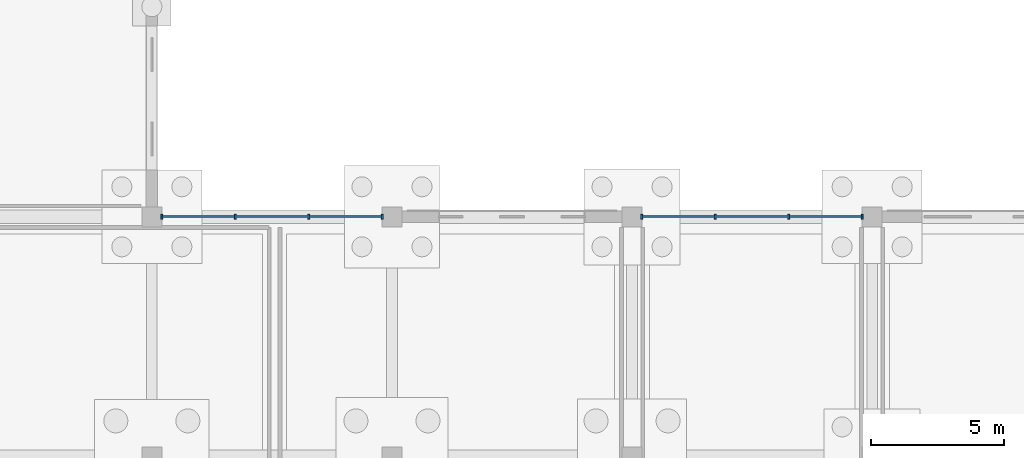
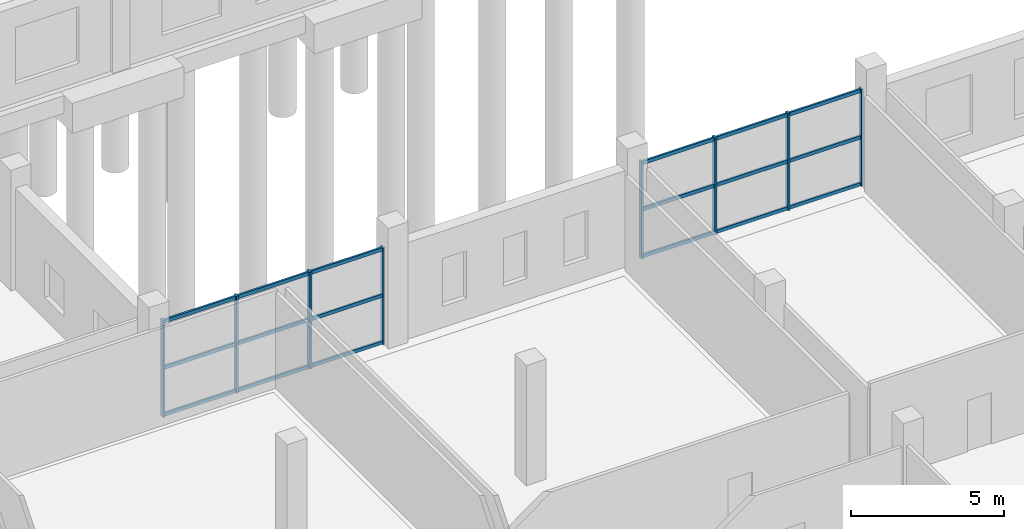
# One storey, part 53 of 112: 26 members, 2 elements without a shape of their own.
"""IFC4 building model written with IfcOpenShell, lengths in metres."""

from ifc_helpers import new_model, si_unit, direction, frame, origin, origin_2d, place, context, subcontext, project, spatial, rectangle, extrude, material, material_profile, profile_set, type_object, element, aggregate, save


model = new_model("IFC4")

# Units and contexts
model_context = context("Model", 3, precision=1e-05, world=origin(), true_north=direction((0.0, 1.0)))
body_context = subcontext(model_context, "Body", "Model", "MODEL_VIEW")
ifc_project = project(units=[si_unit("LENGTHUNIT", "METRE"), si_unit("AREAUNIT", "SQUARE_METRE"), si_unit("VOLUMEUNIT", "CUBIC_METRE"), si_unit("PLANEANGLEUNIT", "RADIAN"), si_unit("MASSUNIT", "GRAM", prefix="KILO")], contexts=[model_context])

# Site, building, storey
site_placement = place(None, origin())
site = spatial("IfcSite", under=ifc_project, at=site_placement, CompositionType="ELEMENT")
building_placement = place(site_placement, origin())
building = spatial("IfcBuilding", under=site, at=building_placement, Name="Tharagai Park Tramway Depot", CompositionType="ELEMENT")
storey_placement = place(building_placement, origin())
storey = spatial("IfcBuildingStorey", under=building, at=storey_placement, Name="L00", CompositionType="ELEMENT", Elevation=0.0)

# Curtain wall, members
ifc_material = material(Name="Anodised aluminium", Category="aluminium")
curtain_wall_type = type_object("IfcCurtainWallType", Name="CW-05", PredefinedType="NOTDEFINED", material=ifc_material)
curtain_wall_1_placement = place(storey_placement, origin())
curtain_wall_1 = element("IfcCurtainWall", 1, at=curtain_wall_1_placement, inside=storey, type_object=curtain_wall_type, Name="L00 V4 Gothic Mullioned Curtain Wall CW-05", PredefinedType="NOTDEFINED")
ifc_material_profile_1 = material_profile(ifc_material, rectangle(XDim=0.074951171875, YDim=0.175048828125, at=origin_2d()), Name="ALU 75x175")
ifc_profile_set_1 = profile_set([ifc_material_profile_1], Name="Anodised aluminium")
member_type_1 = type_object("IfcMemberType", Name="CM-02", PredefinedType="MULLION", material=ifc_profile_set_1)
member_1_placement = place(storey_placement, frame((63.364990234375, 27.0, -0.0048828125), z_axis=(0.0, 0.0, 1.0), x_axis=(1.0, 0.0, 0.0)))
member_1 = element("IfcMember", 2, at=member_1_placement, type_object=member_type_1, Name="L00 V4 Gothic Mullioned Curtain Wall Mullion 1", PredefinedType="MULLION", context=body_context, shape_type="SweptSolid", body=[
    extrude(rectangle(XDim=0.074951171875, YDim=0.175048828125, at=origin_2d()), origin(), (0.0, 0.0, 1.0), 3.85986328125),
])
member_2_placement = place(storey_placement, frame((66.12158203125, 27.0, -0.0048828125), z_axis=(0.0, 0.0, 1.0), x_axis=(1.0, 0.0, 0.0)))
member_2 = element("IfcMember", 3, at=member_2_placement, type_object=member_type_1, Name="L00 V4 Gothic Mullioned Curtain Wall Mullion 2", PredefinedType="MULLION", context=body_context, shape_type="SweptSolid", body=[
    extrude(rectangle(XDim=0.074951171875, YDim=0.175048828125, at=origin_2d()), origin(), (0.0, 0.0, 1.0), 3.85986328125),
])
member_3_placement = place(storey_placement, frame((68.87841796875, 27.0, -0.0048828125), z_axis=(0.0, 0.0, 1.0), x_axis=(1.0, 0.0, 0.0)))
member_3 = element("IfcMember", 4, at=member_3_placement, type_object=member_type_1, Name="L00 V4 Gothic Mullioned Curtain Wall Mullion 3", PredefinedType="MULLION", context=body_context, shape_type="SweptSolid", body=[
    extrude(rectangle(XDim=0.074951171875, YDim=0.175048828125, at=origin_2d()), origin(), (0.0, 0.0, 1.0), 3.85986328125),
])
member_4_placement = place(storey_placement, frame((71.635009765625, 27.0, -0.0048828125), z_axis=(0.0, 0.0, 1.0), x_axis=(1.0, 0.0, 0.0)))
member_4 = element("IfcMember", 5, at=member_4_placement, type_object=member_type_1, Name="L00 V4 Gothic Mullioned Curtain Wall Mullion 4", PredefinedType="MULLION", context=body_context, shape_type="SweptSolid", body=[
    extrude(rectangle(XDim=0.074951171875, YDim=0.175048828125, at=origin_2d()), origin(), (0.0, 0.0, 1.0), 3.85986328125),
])

curtain_wall_2_placement = place(storey_placement, origin())
curtain_wall_2 = element("IfcCurtainWall", 6, at=curtain_wall_2_placement, inside=storey, type_object=curtain_wall_type, Name="L00 V4 Gothic Mullioned Curtain Wall CW-05", PredefinedType="NOTDEFINED")
member_5_placement = place(storey_placement, frame((81.364990234375, 27.0, -0.0048828125), z_axis=(0.0, 0.0, 1.0), x_axis=(1.0, 0.0, 0.0)))
member_5 = element("IfcMember", 7, at=member_5_placement, type_object=member_type_1, Name="L00 V4 Gothic Mullioned Curtain Wall Mullion 1", PredefinedType="MULLION", context=body_context, shape_type="SweptSolid", body=[
    extrude(rectangle(XDim=0.074951171875, YDim=0.175048828125, at=origin_2d()), origin(), (0.0, 0.0, 1.0), 3.85986328125),
])
member_6_placement = place(storey_placement, frame((84.12158203125, 27.0, -0.0048828125), z_axis=(0.0, 0.0, 1.0), x_axis=(1.0, 0.0, 0.0)))
member_6 = element("IfcMember", 8, at=member_6_placement, type_object=member_type_1, Name="L00 V4 Gothic Mullioned Curtain Wall Mullion 2", PredefinedType="MULLION", context=body_context, shape_type="SweptSolid", body=[
    extrude(rectangle(XDim=0.074951171875, YDim=0.175048828125, at=origin_2d()), origin(), (0.0, 0.0, 1.0), 3.85986328125),
])
member_7_placement = place(storey_placement, frame((86.87841796875, 27.0, -0.0048828125), z_axis=(0.0, 0.0, 1.0), x_axis=(1.0, 0.0, 0.0)))
member_7 = element("IfcMember", 9, at=member_7_placement, type_object=member_type_1, Name="L00 V4 Gothic Mullioned Curtain Wall Mullion 3", PredefinedType="MULLION", context=body_context, shape_type="SweptSolid", body=[
    extrude(rectangle(XDim=0.074951171875, YDim=0.175048828125, at=origin_2d()), origin(), (0.0, 0.0, 1.0), 3.85986328125),
])
member_8_placement = place(storey_placement, frame((89.635009765625, 27.0, -0.0048828125), z_axis=(0.0, 0.0, 1.0), x_axis=(1.0, 0.0, 0.0)))
member_8 = element("IfcMember", 10, at=member_8_placement, type_object=member_type_1, Name="L00 V4 Gothic Mullioned Curtain Wall Mullion 4", PredefinedType="MULLION", context=body_context, shape_type="SweptSolid", body=[
    extrude(rectangle(XDim=0.074951171875, YDim=0.175048828125, at=origin_2d()), origin(), (0.0, 0.0, 1.0), 3.85986328125),
])

# Member
ifc_material_profile_2 = material_profile(ifc_material, rectangle(XDim=0.074951171875, YDim=0.139892578125, at=origin_2d()), Name="ALU 75x140")
ifc_profile_set_2 = profile_set([ifc_material_profile_2], Name="Anodised aluminium")
member_type_2 = type_object("IfcMemberType", Name="CM-04", PredefinedType="USERDEFINED", material=ifc_profile_set_2)
member_9_placement = place(storey_placement, frame((63.3798828125, 27.0, 0.06005859375), z_axis=(1.0, 0.0, 0.0), x_axis=(0.0, 1.0, 0.0)))
member_9 = element("IfcMember", 11, at=member_9_placement, type_object=member_type_2, Name="L00 V4 Gothic Mullioned Curtain Wall Transom 1.1", ObjectType="TRANSOM", PredefinedType="USERDEFINED", context=body_context, shape_type="SweptSolid", body=[
    extrude(rectangle(XDim=0.074951171875, YDim=0.139892578125, at=origin_2d()), origin(), (0.0, 0.0, 1.0), 2.726806640625),
])

member_10_placement = place(storey_placement, frame((63.3798828125, 27.0, 1.925048828125), z_axis=(1.0, 0.0, 0.0), x_axis=(0.0, 1.0, 0.0)))
member_10 = element("IfcMember", 12, at=member_10_placement, type_object=member_type_2, Name="L00 V4 Gothic Mullioned Curtain Wall Transom 1.2", ObjectType="TRANSOM", PredefinedType="USERDEFINED", context=body_context, shape_type="SweptSolid", body=[
    extrude(rectangle(XDim=0.074951171875, YDim=0.139892578125, at=origin_2d()), origin(), (0.0, 0.0, 1.0), 2.726806640625),
])

member_11_placement = place(storey_placement, frame((63.3798828125, 27.0, 3.77001953125), z_axis=(1.0, 0.0, 0.0), x_axis=(0.0, 1.0, 0.0)))
member_11 = element("IfcMember", 13, at=member_11_placement, type_object=member_type_2, Name="L00 V4 Gothic Mullioned Curtain Wall Transom 1.3", ObjectType="TRANSOM", PredefinedType="USERDEFINED", context=body_context, shape_type="SweptSolid", body=[
    extrude(rectangle(XDim=0.074951171875, YDim=0.139892578125, at=origin_2d()), origin(), (0.0, 0.0, 1.0), 2.726806640625),
])

member_12_placement = place(storey_placement, frame((66.13671875, 27.0, 0.06005859375), z_axis=(1.0, 0.0, 0.0), x_axis=(0.0, 1.0, 0.0)))
member_12 = element("IfcMember", 14, at=member_12_placement, type_object=member_type_2, Name="L00 V4 Gothic Mullioned Curtain Wall Transom 2.1", ObjectType="TRANSOM", PredefinedType="USERDEFINED", context=body_context, shape_type="SweptSolid", body=[
    extrude(rectangle(XDim=0.074951171875, YDim=0.139892578125, at=origin_2d()), origin(), (0.0, 0.0, 1.0), 2.7265625),
])

member_13_placement = place(storey_placement, frame((66.13671875, 27.0, 1.925048828125), z_axis=(1.0, 0.0, 0.0), x_axis=(0.0, 1.0, 0.0)))
member_13 = element("IfcMember", 15, at=member_13_placement, type_object=member_type_2, Name="L00 V4 Gothic Mullioned Curtain Wall Transom 2.2", ObjectType="TRANSOM", PredefinedType="USERDEFINED", context=body_context, shape_type="SweptSolid", body=[
    extrude(rectangle(XDim=0.074951171875, YDim=0.139892578125, at=origin_2d()), origin(), (0.0, 0.0, 1.0), 2.7265625),
])

member_14_placement = place(storey_placement, frame((66.13671875, 27.0, 3.77001953125), z_axis=(1.0, 0.0, 0.0), x_axis=(0.0, 1.0, 0.0)))
member_14 = element("IfcMember", 16, at=member_14_placement, type_object=member_type_2, Name="L00 V4 Gothic Mullioned Curtain Wall Transom 2.3", ObjectType="TRANSOM", PredefinedType="USERDEFINED", context=body_context, shape_type="SweptSolid", body=[
    extrude(rectangle(XDim=0.074951171875, YDim=0.139892578125, at=origin_2d()), origin(), (0.0, 0.0, 1.0), 2.7265625),
])

member_15_placement = place(storey_placement, frame((68.893310546875, 27.0, 0.06005859375), z_axis=(1.0, 0.0, 0.0), x_axis=(0.0, 1.0, 0.0)))
member_15 = element("IfcMember", 17, at=member_15_placement, type_object=member_type_2, Name="L00 V4 Gothic Mullioned Curtain Wall Transom 3.1", ObjectType="TRANSOM", PredefinedType="USERDEFINED", context=body_context, shape_type="SweptSolid", body=[
    extrude(rectangle(XDim=0.074951171875, YDim=0.139892578125, at=origin_2d()), origin(), (0.0, 0.0, 1.0), 2.726806640625),
])

member_16_placement = place(storey_placement, frame((68.893310546875, 27.0, 1.925048828125), z_axis=(1.0, 0.0, 0.0), x_axis=(0.0, 1.0, 0.0)))
member_16 = element("IfcMember", 18, at=member_16_placement, type_object=member_type_2, Name="L00 V4 Gothic Mullioned Curtain Wall Transom 3.2", ObjectType="TRANSOM", PredefinedType="USERDEFINED", context=body_context, shape_type="SweptSolid", body=[
    extrude(rectangle(XDim=0.074951171875, YDim=0.139892578125, at=origin_2d()), origin(), (0.0, 0.0, 1.0), 2.726806640625),
])

member_17_placement = place(storey_placement, frame((68.893310546875, 27.0, 3.77001953125), z_axis=(1.0, 0.0, 0.0), x_axis=(0.0, 1.0, 0.0)))
member_17 = element("IfcMember", 19, at=member_17_placement, type_object=member_type_2, Name="L00 V4 Gothic Mullioned Curtain Wall Transom 3.3", ObjectType="TRANSOM", PredefinedType="USERDEFINED", context=body_context, shape_type="SweptSolid", body=[
    extrude(rectangle(XDim=0.074951171875, YDim=0.139892578125, at=origin_2d()), origin(), (0.0, 0.0, 1.0), 2.726806640625),
])

aggregate(curtain_wall_1, [member_1, member_2, member_3, member_4, member_9, member_10, member_11, member_12, member_13, member_14, member_15, member_16, member_17])

member_18_placement = place(storey_placement, frame((81.3798828125, 27.0, 0.06005859375), z_axis=(1.0, 0.0, 0.0), x_axis=(0.0, 1.0, 0.0)))
member_18 = element("IfcMember", 20, at=member_18_placement, type_object=member_type_2, Name="L00 V4 Gothic Mullioned Curtain Wall Transom 1.1", ObjectType="TRANSOM", PredefinedType="USERDEFINED", context=body_context, shape_type="SweptSolid", body=[
    extrude(rectangle(XDim=0.074951171875, YDim=0.139892578125, at=origin_2d()), origin(), (0.0, 0.0, 1.0), 2.726806640625),
])

member_19_placement = place(storey_placement, frame((81.3798828125, 27.0, 1.925048828125), z_axis=(1.0, 0.0, 0.0), x_axis=(0.0, 1.0, 0.0)))
member_19 = element("IfcMember", 21, at=member_19_placement, type_object=member_type_2, Name="L00 V4 Gothic Mullioned Curtain Wall Transom 1.2", ObjectType="TRANSOM", PredefinedType="USERDEFINED", context=body_context, shape_type="SweptSolid", body=[
    extrude(rectangle(XDim=0.074951171875, YDim=0.139892578125, at=origin_2d()), origin(), (0.0, 0.0, 1.0), 2.726806640625),
])

member_20_placement = place(storey_placement, frame((81.3798828125, 27.0, 3.77001953125), z_axis=(1.0, 0.0, 0.0), x_axis=(0.0, 1.0, 0.0)))
member_20 = element("IfcMember", 22, at=member_20_placement, type_object=member_type_2, Name="L00 V4 Gothic Mullioned Curtain Wall Transom 1.3", ObjectType="TRANSOM", PredefinedType="USERDEFINED", context=body_context, shape_type="SweptSolid", body=[
    extrude(rectangle(XDim=0.074951171875, YDim=0.139892578125, at=origin_2d()), origin(), (0.0, 0.0, 1.0), 2.726806640625),
])

member_21_placement = place(storey_placement, frame((84.13671875, 27.0, 0.06005859375), z_axis=(1.0, 0.0, 0.0), x_axis=(0.0, 1.0, 0.0)))
member_21 = element("IfcMember", 23, at=member_21_placement, type_object=member_type_2, Name="L00 V4 Gothic Mullioned Curtain Wall Transom 2.1", ObjectType="TRANSOM", PredefinedType="USERDEFINED", context=body_context, shape_type="SweptSolid", body=[
    extrude(rectangle(XDim=0.074951171875, YDim=0.139892578125, at=origin_2d()), origin(), (0.0, 0.0, 1.0), 2.7265625),
])

member_22_placement = place(storey_placement, frame((84.13671875, 27.0, 1.925048828125), z_axis=(1.0, 0.0, 0.0), x_axis=(0.0, 1.0, 0.0)))
member_22 = element("IfcMember", 24, at=member_22_placement, type_object=member_type_2, Name="L00 V4 Gothic Mullioned Curtain Wall Transom 2.2", ObjectType="TRANSOM", PredefinedType="USERDEFINED", context=body_context, shape_type="SweptSolid", body=[
    extrude(rectangle(XDim=0.074951171875, YDim=0.139892578125, at=origin_2d()), origin(), (0.0, 0.0, 1.0), 2.7265625),
])

member_23_placement = place(storey_placement, frame((84.13671875, 27.0, 3.77001953125), z_axis=(1.0, 0.0, 0.0), x_axis=(0.0, 1.0, 0.0)))
member_23 = element("IfcMember", 25, at=member_23_placement, type_object=member_type_2, Name="L00 V4 Gothic Mullioned Curtain Wall Transom 2.3", ObjectType="TRANSOM", PredefinedType="USERDEFINED", context=body_context, shape_type="SweptSolid", body=[
    extrude(rectangle(XDim=0.074951171875, YDim=0.139892578125, at=origin_2d()), origin(), (0.0, 0.0, 1.0), 2.7265625),
])

member_24_placement = place(storey_placement, frame((86.893310546875, 27.0, 0.06005859375), z_axis=(1.0, 0.0, 0.0), x_axis=(0.0, 1.0, 0.0)))
member_24 = element("IfcMember", 26, at=member_24_placement, type_object=member_type_2, Name="L00 V4 Gothic Mullioned Curtain Wall Transom 3.1", ObjectType="TRANSOM", PredefinedType="USERDEFINED", context=body_context, shape_type="SweptSolid", body=[
    extrude(rectangle(XDim=0.074951171875, YDim=0.139892578125, at=origin_2d()), origin(), (0.0, 0.0, 1.0), 2.726806640625),
])

member_25_placement = place(storey_placement, frame((86.893310546875, 27.0, 1.925048828125), z_axis=(1.0, 0.0, 0.0), x_axis=(0.0, 1.0, 0.0)))
member_25 = element("IfcMember", 27, at=member_25_placement, type_object=member_type_2, Name="L00 V4 Gothic Mullioned Curtain Wall Transom 3.2", ObjectType="TRANSOM", PredefinedType="USERDEFINED", context=body_context, shape_type="SweptSolid", body=[
    extrude(rectangle(XDim=0.074951171875, YDim=0.139892578125, at=origin_2d()), origin(), (0.0, 0.0, 1.0), 2.726806640625),
])

member_26_placement = place(storey_placement, frame((86.893310546875, 27.0, 3.77001953125), z_axis=(1.0, 0.0, 0.0), x_axis=(0.0, 1.0, 0.0)))
member_26 = element("IfcMember", 28, at=member_26_placement, type_object=member_type_2, Name="L00 V4 Gothic Mullioned Curtain Wall Transom 3.3", ObjectType="TRANSOM", PredefinedType="USERDEFINED", context=body_context, shape_type="SweptSolid", body=[
    extrude(rectangle(XDim=0.074951171875, YDim=0.139892578125, at=origin_2d()), origin(), (0.0, 0.0, 1.0), 2.726806640625),
])

aggregate(curtain_wall_2, [member_5, member_6, member_7, member_8, member_18, member_19, member_20, member_21, member_22, member_23, member_24, member_25, member_26])

save(model, "model.ifc")
